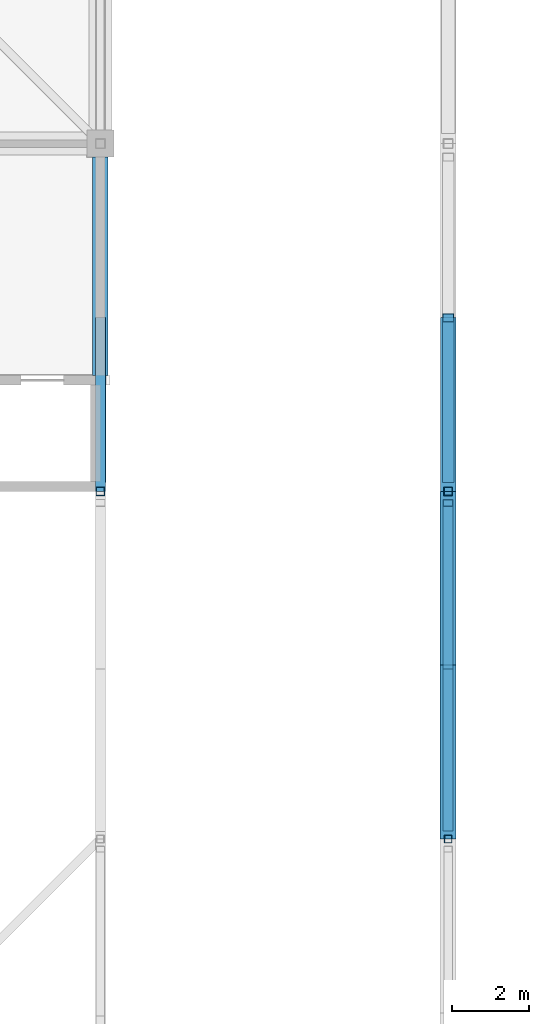
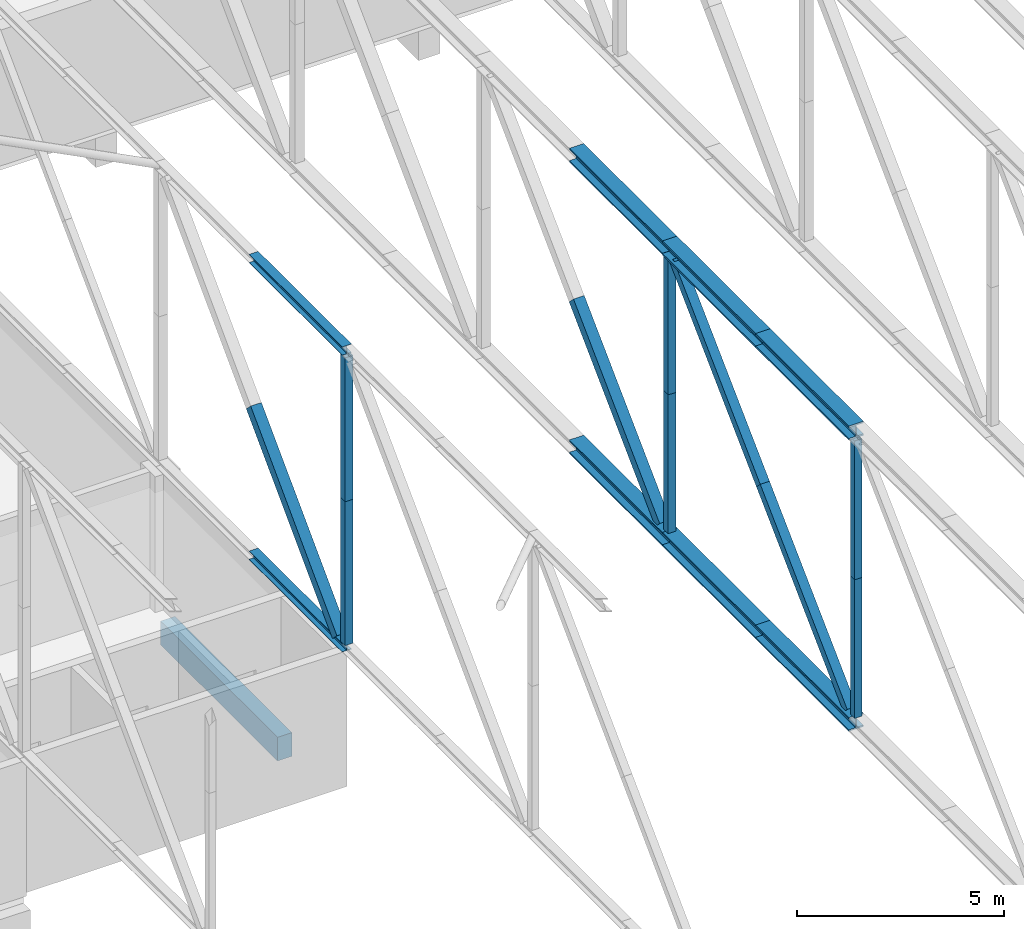
# One storey, part 58 of 646: 18 members, 1 beam.
"""IFC4 building model written with IfcOpenShell, lengths in metres."""

from ifc_helpers import new_model, si_unit, direction, frame, origin, origin_2d, place, context, subcontext, project, spatial, rectangle, hollow_rectangle, i_section, extrude, material, material_profile, profile_set, type_object, element, save


model = new_model("IFC4")

# Units and contexts
model_context = context("Model", 3, precision=1e-05, world=origin(), true_north=direction((0.0, 1.0)))
body_context = subcontext(model_context, "Body", "Model", "MODEL_VIEW")
ifc_project = project(units=[si_unit("LENGTHUNIT", "METRE"), si_unit("AREAUNIT", "SQUARE_METRE"), si_unit("VOLUMEUNIT", "CUBIC_METRE"), si_unit("PLANEANGLEUNIT", "RADIAN"), si_unit("MASSUNIT", "GRAM", prefix="KILO")], contexts=[model_context])

# Site, building, storey
site_placement = place(None, origin())
site = spatial("IfcSite", under=ifc_project, at=site_placement, CompositionType="ELEMENT")
building_placement = place(site_placement, origin())
building = spatial("IfcBuilding", under=site, at=building_placement, Name="Silverbay Arena", CompositionType="ELEMENT")
storey_placement = place(building_placement, frame((0.0, 0.0, 33.5)))
storey = spatial("IfcBuildingStorey", under=building, at=storey_placement, Name="L05", CompositionType="ELEMENT", Elevation=33.5)

# Members
ifc_material_1 = material(Name="Steel S355", Category="steel")
ifc_material_profile_1 = material_profile(ifc_material_1, i_section(OverallWidth=0.403076171875, OverallDepth=0.406494140625, WebThickness=0.026611328125, FlangeThickness=0.04296875, at=origin_2d()), Name="UC 356x406x340")
ifc_profile_set_1 = profile_set([ifc_material_profile_1], Name="Steel S355")
member_type_1 = type_object("IfcMemberType", Name="Main-span bottom chord UC 356x406x340", PredefinedType="CHORD", material=ifc_profile_set_1)
for number, where, z_axis, x_axis, name in (
    (1, (108.0, 90.0, 4.203125), (0.0, 1.0, 0.0), (-1.0, 0.0, 0.0), "ROOF TRUSS 13 bottom chord 10a"),
    (2, (108.0, 94.5, 4.203125), (0.0, 1.0, 0.0), (-1.0, 0.0, 0.0), "ROOF TRUSS 13 bottom chord 10b"),
    (3, (108.0, 99.0, 4.203125), (0.0, 1.0, 0.0), (-1.0, 0.0, 0.0), "ROOF TRUSS 13 bottom chord 11a"),
):
    element("IfcMember", number, at=place(storey_placement, frame(where, z_axis=z_axis, x_axis=x_axis)), inside=storey, type_object=member_type_1, Name=name, PredefinedType="CHORD", context=body_context, shape_type="SweptSolid", body=[
        extrude(i_section(OverallWidth=0.403076171875, OverallDepth=0.406494140625, WebThickness=0.026611328125, FlangeThickness=0.04296875, at=origin_2d()), origin(), (0.0, 0.0, 1.0), 4.5),
    ])
ifc_material_2 = material(Name="Steel S355", Category="steel")
ifc_material_profile_2 = material_profile(ifc_material_2, i_section(OverallWidth=0.403076171875, OverallDepth=0.406494140625, WebThickness=0.026611328125, FlangeThickness=0.04296875, at=origin_2d()), Name="UC 356x406x340")
ifc_profile_set_2 = profile_set([ifc_material_profile_2], Name="Steel S355")
member_type_2 = type_object("IfcMemberType", Name="Main-span top chord UC 356x406x340", PredefinedType="CHORD", material=ifc_profile_set_2)
member_1_placement = place(storey_placement, frame((108.0, 99.0, 12.796875), z_axis=(0.0, 1.0, 0.0), x_axis=(-1.0, 0.0, 0.0)))
element("IfcMember", 4, at=member_1_placement, inside=storey, type_object=member_type_2, Name="ROOF TRUSS 13 top chord 11a", PredefinedType="CHORD", context=body_context, shape_type="SweptSolid", body=[
    extrude(i_section(OverallWidth=0.403076171875, OverallDepth=0.406494140625, WebThickness=0.026611328125, FlangeThickness=0.04296875, at=origin_2d()), origin(), (0.0, 0.0, 1.0), 4.5),
])
ifc_material_3 = material(Name="Steel S355", Category="steel")
ifc_material_profile_3 = material_profile(ifc_material_3, i_section(OverallWidth=0.406982421875, OverallDepth=0.4189453125, WebThickness=0.030517578125, FlangeThickness=0.04931640625, at=origin_2d()), Name="UC 356x406x393")
ifc_profile_set_3 = profile_set([ifc_material_profile_3], Name="Steel S355")
member_type_3 = type_object("IfcMemberType", Name="Main-span top chord UC 356x406x393", PredefinedType="CHORD", material=ifc_profile_set_3)
for number, where, z_axis, x_axis, name in (
    (5, (108.0, 90.0, 12.79052734375), (0.0, 1.0, 0.0), (-1.0, 0.0, 0.0), "ROOF TRUSS 13 top chord 10a"),
    (6, (108.0, 94.5, 12.79052734375), (0.0, 1.0, 0.0), (-1.0, 0.0, 0.0), "ROOF TRUSS 13 top chord 10b"),
):
    element("IfcMember", number, at=place(storey_placement, frame(where, z_axis=z_axis, x_axis=x_axis)), inside=storey, type_object=member_type_3, Name=name, PredefinedType="CHORD", context=body_context, shape_type="SweptSolid", body=[
        extrude(i_section(OverallWidth=0.406982421875, OverallDepth=0.4189453125, WebThickness=0.030517578125, FlangeThickness=0.04931640625, at=origin_2d()), origin(), (0.0, 0.0, 1.0), 4.5),
    ])
ifc_material_4 = material(Name="Steel S355", Category="steel")
ifc_material_profile_4 = material_profile(ifc_material_4, hollow_rectangle(XDim=0.260009765625, YDim=0.260009765625, WallThickness=0.012451171875, at=origin_2d()), Name="SHS 260x260x12.5")
ifc_profile_set_4 = profile_set([ifc_material_profile_4], Name="Steel S355")
member_type_4 = type_object("IfcMemberType", Name="Main-span truss diagonal SHS 260x260x12.5", PredefinedType="BRACE", material=ifc_profile_set_4)
for number, where, z_axis, x_axis, name in (
    (7, (108.0, 98.696533203125, 12.5810546875), (0.0, -0.716765314206, -0.697314480239), (1.0, 0.0, 0.0), "ROOF TRUSS 13 diagonal 10a"),
    (8, (108.0, 94.4951171875, 8.49365234375), (0.0, -0.716806382858, -0.697272263534), (1.0, 0.0, 0.0), "ROOF TRUSS 13 diagonal 10b"),
):
    element("IfcMember", number, at=place(storey_placement, frame(where, z_axis=z_axis, x_axis=x_axis)), inside=storey, type_object=member_type_4, Name=name, PredefinedType="BRACE", context=body_context, shape_type="SweptSolid", body=[
        extrude(hollow_rectangle(XDim=0.260009765625, YDim=0.260009765625, WallThickness=0.012451171875, at=origin_2d()), origin(), (0.0, 0.0, 1.0), 5.861572265625),
    ])
ifc_material_5 = material(Name="Steel S355", Category="steel")
ifc_material_profile_5 = material_profile(ifc_material_5, hollow_rectangle(XDim=0.300048828125, YDim=0.300048828125, WallThickness=0.012451171875, at=origin_2d()), Name="SHS 300x300x12.5")
ifc_profile_set_5 = profile_set([ifc_material_profile_5], Name="Steel S355")
member_type_5 = type_object("IfcMemberType", Name="Main-span truss diagonal SHS 300x300x12.5", PredefinedType="BRACE", material=ifc_profile_set_5)
member_2_placement = place(storey_placement, frame((108.0, 103.492431640625, 8.5), z_axis=(0.0, -0.71273186468, -0.701436589487), x_axis=(1.0, 0.0, 0.0)))
element("IfcMember", 9, at=member_2_placement, inside=storey, type_object=member_type_5, Name="ROOF TRUSS 13 diagonal 11b", PredefinedType="BRACE", context=body_context, shape_type="SweptSolid", body=[
    extrude(hollow_rectangle(XDim=0.300048828125, YDim=0.300048828125, WallThickness=0.012451171875, at=origin_2d()), origin(), (0.0, 0.0, 1.0), 5.8359375),
])
ifc_material_6 = material(Name="Steel S355", Category="steel")
ifc_material_profile_6 = material_profile(ifc_material_6, hollow_rectangle(XDim=0.199951171875, YDim=0.199951171875, WallThickness=0.008056640625, at=origin_2d()), Name="SHS 200x200x8")
ifc_profile_set_6 = profile_set([ifc_material_profile_6], Name="Steel S355")
member_type_6 = type_object("IfcMemberType", Name="Main-span truss vertical SHS 200x200x8", PredefinedType="STRUT", material=ifc_profile_set_6)
member_3_placement = place(storey_placement, frame((108.0, 90.0, 4.406494140625), z_axis=(0.0, 0.0, 1.0), x_axis=(1.0, 0.0, 0.0)))
element("IfcMember", 10, at=member_3_placement, inside=storey, type_object=member_type_6, Name="ROOF TRUSS 13 vertical 10a", PredefinedType="STRUT", context=body_context, shape_type="SweptSolid", body=[
    extrude(hollow_rectangle(XDim=0.199951171875, YDim=0.199951171875, WallThickness=0.008056640625, at=origin_2d()), origin(), (0.0, 0.0, 1.0), 4.087158203125),
])
member_4_placement = place(storey_placement, frame((108.0, 90.0, 8.49365234375), z_axis=(0.0, 0.0, 1.0), x_axis=(1.0, 0.0, 0.0)))
element("IfcMember", 11, at=member_4_placement, inside=storey, type_object=member_type_6, Name="ROOF TRUSS 13 vertical 10b", PredefinedType="STRUT", context=body_context, shape_type="SweptSolid", body=[
    extrude(hollow_rectangle(XDim=0.199951171875, YDim=0.199951171875, WallThickness=0.008056640625, at=origin_2d()), origin(), (0.0, 0.0, 1.0), 4.08740234375),
])
ifc_material_7 = material(Name="Steel S355", Category="steel")
ifc_material_profile_7 = material_profile(ifc_material_7, hollow_rectangle(XDim=0.219970703125, YDim=0.219970703125, WallThickness=0.008056640625, at=origin_2d()), Name="SHS 220x220x8")
ifc_profile_set_7 = profile_set([ifc_material_profile_7], Name="Steel S355")
member_type_7 = type_object("IfcMemberType", Name="Main-span truss vertical SHS 220x220x8", PredefinedType="STRUT", material=ifc_profile_set_7)
member_5_placement = place(storey_placement, frame((108.0, 99.0, 4.406494140625), z_axis=(0.0, 0.0, 1.0), x_axis=(1.0, 0.0, 0.0)))
element("IfcMember", 12, at=member_5_placement, inside=storey, type_object=member_type_7, Name="ROOF TRUSS 13 vertical 11a", PredefinedType="STRUT", context=body_context, shape_type="SweptSolid", body=[
    extrude(hollow_rectangle(XDim=0.219970703125, YDim=0.219970703125, WallThickness=0.008056640625, at=origin_2d()), origin(), (0.0, 0.0, 1.0), 4.087158203125),
])
member_6_placement = place(storey_placement, frame((108.0, 99.0, 8.49365234375), z_axis=(0.0, 0.0, 1.0), x_axis=(1.0, 0.0, 0.0)))
element("IfcMember", 13, at=member_6_placement, inside=storey, type_object=member_type_7, Name="ROOF TRUSS 13 vertical 11b", PredefinedType="STRUT", context=body_context, shape_type="SweptSolid", body=[
    extrude(hollow_rectangle(XDim=0.219970703125, YDim=0.219970703125, WallThickness=0.008056640625, at=origin_2d()), origin(), (0.0, 0.0, 1.0), 4.08740234375),
])
ifc_material_8 = material(Name="Steel S355", Category="steel")
ifc_material_profile_8 = material_profile(ifc_material_8, i_section(OverallWidth=0.254638671875, OverallDepth=0.254150390625, WebThickness=0.008544921875, FlangeThickness=0.01416015625, at=origin_2d()), Name="UC 254x254x73")
ifc_profile_set_8 = profile_set([ifc_material_profile_8], Name="Steel S355")
member_type_8 = type_object("IfcMemberType", Name="Medium-span bottom chord UC 254x254x73", PredefinedType="CHORD", material=ifc_profile_set_8)
member_7_placement = place(storey_placement, frame((99.0, 99.0, 4.126953125), z_axis=(0.0, 1.0, 0.0), x_axis=(-1.0, 0.0, 0.0)))
element("IfcMember", 14, at=member_7_placement, inside=storey, type_object=member_type_8, Name="ROOF TRUSS 12 bottom chord 11a", PredefinedType="CHORD", context=body_context, shape_type="SweptSolid", body=[
    extrude(i_section(OverallWidth=0.254638671875, OverallDepth=0.254150390625, WebThickness=0.008544921875, FlangeThickness=0.01416015625, at=origin_2d()), origin(), (0.0, 0.0, 1.0), 4.5),
])
ifc_material_9 = material(Name="Steel S355", Category="steel")
ifc_material_profile_9 = material_profile(ifc_material_9, i_section(OverallWidth=0.254638671875, OverallDepth=0.254150390625, WebThickness=0.008544921875, FlangeThickness=0.01416015625, at=origin_2d()), Name="UC 254x254x73")
ifc_profile_set_9 = profile_set([ifc_material_profile_9], Name="Steel S355")
member_type_9 = type_object("IfcMemberType", Name="Medium-span top chord UC 254x254x73", PredefinedType="CHORD", material=ifc_profile_set_9)
member_8_placement = place(storey_placement, frame((99.0, 99.0, 12.873046875), z_axis=(0.0, 1.0, 0.0), x_axis=(-1.0, 0.0, 0.0)))
element("IfcMember", 15, at=member_8_placement, inside=storey, type_object=member_type_9, Name="ROOF TRUSS 12 top chord 11a", PredefinedType="CHORD", context=body_context, shape_type="SweptSolid", body=[
    extrude(i_section(OverallWidth=0.254638671875, OverallDepth=0.254150390625, WebThickness=0.008544921875, FlangeThickness=0.01416015625, at=origin_2d()), origin(), (0.0, 0.0, 1.0), 4.5),
])
ifc_material_10 = material(Name="Steel S355", Category="steel")
ifc_material_profile_10 = material_profile(ifc_material_10, hollow_rectangle(XDim=0.300048828125, YDim=0.300048828125, WallThickness=0.012451171875, at=origin_2d()), Name="SHS 300x300x12.5")
ifc_profile_set_10 = profile_set([ifc_material_profile_10], Name="Steel S355")
member_type_10 = type_object("IfcMemberType", Name="Medium-span truss diagonal SHS 300x300x12.5", PredefinedType="BRACE", material=ifc_profile_set_10)
member_9_placement = place(storey_placement, frame((99.0, 103.492431640625, 8.5), z_axis=(0.0, -0.700176070598, -0.713970216579), x_axis=(1.0, 0.0, 0.0)))
element("IfcMember", 16, at=member_9_placement, inside=storey, type_object=member_type_10, Name="ROOF TRUSS 12 diagonal 11b", PredefinedType="BRACE", context=body_context, shape_type="SweptSolid", body=[
    extrude(hollow_rectangle(XDim=0.300048828125, YDim=0.300048828125, WallThickness=0.012451171875, at=origin_2d()), origin(), (0.0, 0.0, 1.0), 5.94677734375),
])
ifc_material_11 = material(Name="Steel S355", Category="steel")
ifc_material_profile_11 = material_profile(ifc_material_11, hollow_rectangle(XDim=0.219970703125, YDim=0.219970703125, WallThickness=0.008056640625, at=origin_2d()), Name="SHS 220x220x8")
ifc_profile_set_11 = profile_set([ifc_material_profile_11], Name="Steel S355")
member_type_11 = type_object("IfcMemberType", Name="Medium-span truss vertical SHS 220x220x8", PredefinedType="STRUT", material=ifc_profile_set_11)
member_10_placement = place(storey_placement, frame((99.0, 99.0, 4.254150390625), z_axis=(0.0, 0.0, 1.0), x_axis=(1.0, 0.0, 0.0)))
element("IfcMember", 17, at=member_10_placement, inside=storey, type_object=member_type_11, Name="ROOF TRUSS 12 vertical 11a", PredefinedType="STRUT", context=body_context, shape_type="SweptSolid", body=[
    extrude(hollow_rectangle(XDim=0.219970703125, YDim=0.219970703125, WallThickness=0.008056640625, at=origin_2d()), origin(), (0.0, 0.0, 1.0), 4.239501953125),
])
member_11_placement = place(storey_placement, frame((99.0, 99.0, 8.49365234375), z_axis=(0.0, 0.0, 1.0), x_axis=(1.0, 0.0, 0.0)))
element("IfcMember", 18, at=member_11_placement, inside=storey, type_object=member_type_11, Name="ROOF TRUSS 12 vertical 11b", PredefinedType="STRUT", context=body_context, shape_type="SweptSolid", body=[
    extrude(hollow_rectangle(XDim=0.219970703125, YDim=0.219970703125, WallThickness=0.008056640625, at=origin_2d()), origin(), (0.0, 0.0, 1.0), 4.23974609375),
])

# Beam
ifc_material_12 = material(Name="Concrete Grade C45", Category="concrete")
ifc_material_profile_12 = material_profile(ifc_material_12, rectangle(XDim=0.39990234375, YDim=0.699951171875, at=origin_2d()), Name="RC 400x700")
ifc_profile_set_12 = profile_set([ifc_material_profile_12], Name="Concrete Grade C45")
beam_type = type_object("IfcBeamType", Name="RC beam 400x700", PredefinedType="BEAM", material=ifc_profile_set_12)
beam_placement = place(storey_placement, frame((99.0, 102.0, -0.64990234375), z_axis=(0.0, 1.0, 0.0), x_axis=(-1.0, 0.0, 0.0)))
element("IfcBeam", 19, at=beam_placement, inside=storey, type_object=beam_type, Name="Floor beam L05 101", PredefinedType="BEAM", context=body_context, shape_type="SweptSolid", body=[
    extrude(rectangle(XDim=0.39990234375, YDim=0.699951171875, at=origin_2d()), origin(), (0.0, 0.0, 1.0), 5.64990234375),
])

save(model, "model.ifc")
